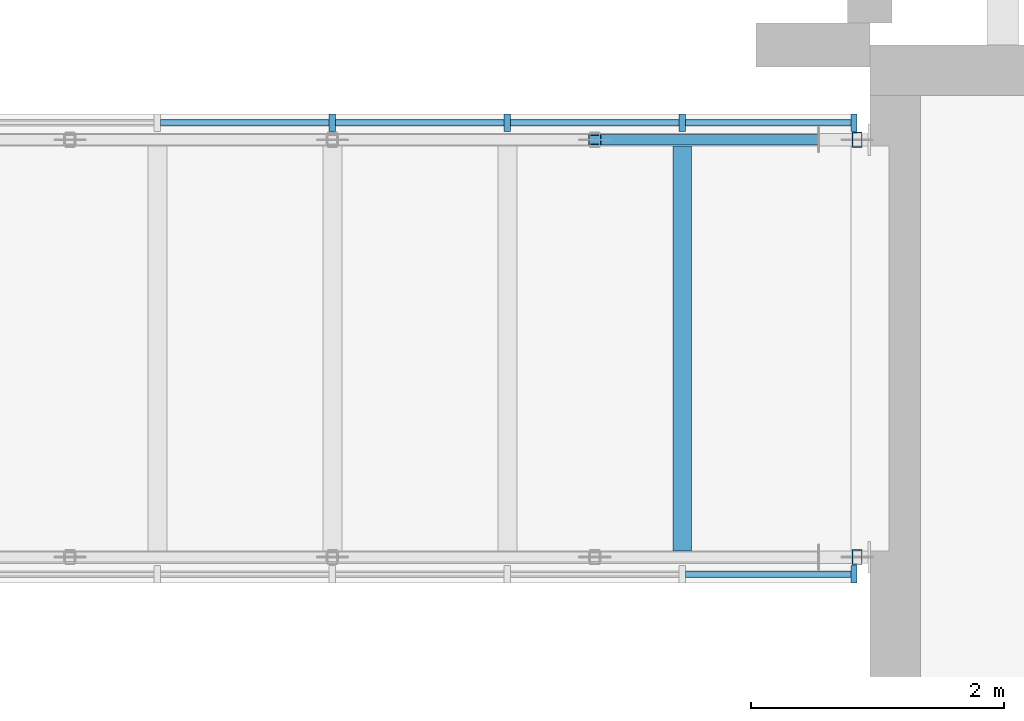
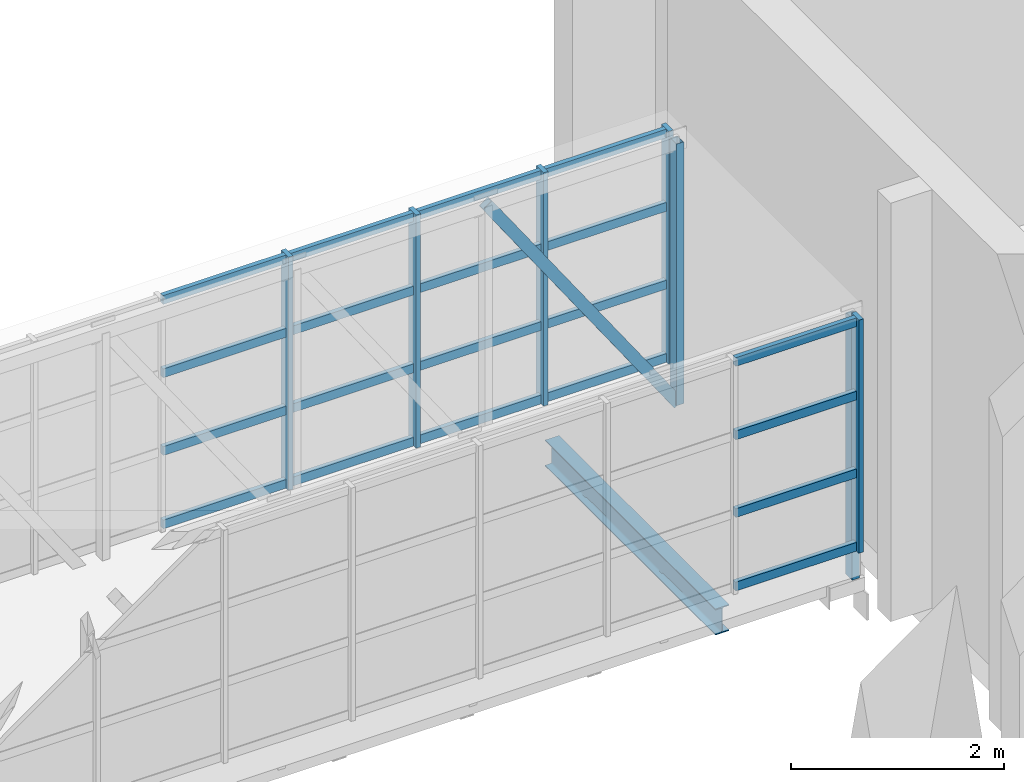
# One storey, part 13 of 91: 28 members, 1 beam, 2 elements without a shape of their own.
"""IFC4 building model written with IfcOpenShell, lengths in metres."""

from ifc_helpers import new_model, si_unit, direction, frame, origin, origin_2d, place, context, subcontext, project, spatial, rectangle, hollow_rectangle, i_section, extrude, material, layer, layer_set, material_profile, profile_set, type_object, element, aggregate, save


model = new_model("IFC4")

# Units and contexts
model_context = context("Model", 3, precision=1e-05, world=origin(), true_north=direction((0.0, 1.0)))
body_context = subcontext(model_context, "Body", "Model", "MODEL_VIEW")
ifc_project = project(units=[si_unit("LENGTHUNIT", "METRE"), si_unit("AREAUNIT", "SQUARE_METRE"), si_unit("VOLUMEUNIT", "CUBIC_METRE"), si_unit("PLANEANGLEUNIT", "RADIAN"), si_unit("MASSUNIT", "GRAM", prefix="KILO")], contexts=[model_context])

# Site, building, storey
site_placement = place(None, origin())
site = spatial("IfcSite", under=ifc_project, at=site_placement, CompositionType="ELEMENT")
building_placement = place(site_placement, origin())
building = spatial("IfcBuilding", under=site, at=building_placement, Name="Kiln Court Media Centre", CompositionType="ELEMENT")
storey_placement = place(building_placement, frame((0.0, 0.0, 5.39990234375)))
storey = spatial("IfcBuildingStorey", under=building, at=storey_placement, Name="L01", CompositionType="ELEMENT", Elevation=5.39990234375)

# Curtain wall, member
ifc_material_1 = material(Name="Aluminium 6063-T6", Category="aluminium")
ifc_layer = layer(ifc_material_1, 0.1201171875)
ifc_layer_set = layer_set([ifc_layer], Name="Aluminium unitised curtain wall, bridge")
curtain_wall_type = type_object("IfcCurtainWallType", Name="Aluminium unitised curtain wall, bridge", PredefinedType="USERDEFINED", material=ifc_layer_set)
curtain_wall_1_placement = place(storey_placement, origin())
curtain_wall_1 = element("IfcCurtainWall", 1, at=curtain_wall_1_placement, inside=storey, type_object=curtain_wall_type, Name="BR-3 side glazing", ObjectType="UNITISED CURTAIN WALL", PredefinedType="USERDEFINED")
ifc_material_2 = material(Name="Aluminium 6063-T6", Category="aluminium")
ifc_material_profile_1 = material_profile(ifc_material_2, rectangle(XDim=0.050048828125, YDim=0.139892578125, at=origin_2d()), Name="Aluminium hall mullion 50x140")
ifc_profile_set_1 = profile_set([ifc_material_profile_1], Name="Aluminium 6063-T6")
member_type_1 = type_object("IfcMemberType", Name="Aluminium hall mullion 50x140", PredefinedType="MULLION", material=ifc_profile_set_1)
member_1_placement = place(storey_placement, frame((117.47509765625, 63.014892578125, 0.0), z_axis=(0.0, 0.0, 1.0), x_axis=(1.0, 0.0, 0.0)))
member_1 = element("IfcMember", 2, at=member_1_placement, type_object=member_type_1, Name="CW1-63 mullion 13", PredefinedType="MULLION", context=body_context, shape_type="SweptSolid", body=[
    extrude(rectangle(XDim=0.050048828125, YDim=0.139892578125, at=origin_2d()), origin(), (0.0, 0.0, 1.0), 2.675048828125),
])

# Curtain wall, members
curtain_wall_2_placement = place(storey_placement, origin())
curtain_wall_2 = element("IfcCurtainWall", 3, at=curtain_wall_2_placement, inside=storey, type_object=curtain_wall_type, Name="BR-3 side glazing", ObjectType="UNITISED CURTAIN WALL", PredefinedType="USERDEFINED")
member_2_placement = place(storey_placement, frame((113.35009765625, 66.5849609375, 0.0), z_axis=(0.0, 0.0, 1.0), x_axis=(1.0, 0.0, 0.0)))
member_2 = element("IfcMember", 4, at=member_2_placement, type_object=member_type_1, Name="CW1-64 mullion 10", PredefinedType="MULLION", context=body_context, shape_type="SweptSolid", body=[
    extrude(rectangle(XDim=0.050048828125, YDim=0.139892578125, at=origin_2d()), origin(), (0.0, 0.0, 1.0), 2.675048828125),
])
member_3_placement = place(storey_placement, frame((114.7333984375, 66.5849609375, 0.0), z_axis=(0.0, 0.0, 1.0), x_axis=(1.0, 0.0, 0.0)))
member_3 = element("IfcMember", 5, at=member_3_placement, type_object=member_type_1, Name="CW1-64 mullion 11", PredefinedType="MULLION", context=body_context, shape_type="SweptSolid", body=[
    extrude(rectangle(XDim=0.050048828125, YDim=0.139892578125, at=origin_2d()), origin(), (0.0, 0.0, 1.0), 2.675048828125),
])
member_4_placement = place(storey_placement, frame((116.11669921875, 66.5849609375, 0.0), z_axis=(0.0, 0.0, 1.0), x_axis=(1.0, 0.0, 0.0)))
member_4 = element("IfcMember", 6, at=member_4_placement, type_object=member_type_1, Name="CW1-64 mullion 12", PredefinedType="MULLION", context=body_context, shape_type="SweptSolid", body=[
    extrude(rectangle(XDim=0.050048828125, YDim=0.139892578125, at=origin_2d()), origin(), (0.0, 0.0, 1.0), 2.675048828125),
])
member_5_placement = place(storey_placement, frame((117.47509765625, 66.5849609375, 0.0), z_axis=(0.0, 0.0, 1.0), x_axis=(1.0, 0.0, 0.0)))
member_5 = element("IfcMember", 7, at=member_5_placement, type_object=member_type_1, Name="CW1-64 mullion 13", PredefinedType="MULLION", context=body_context, shape_type="SweptSolid", body=[
    extrude(rectangle(XDim=0.050048828125, YDim=0.139892578125, at=origin_2d()), origin(), (0.0, 0.0, 1.0), 2.675048828125),
])

# Member
ifc_material_3 = material(Name="Aluminium 6063-T6", Category="aluminium")
ifc_material_profile_2 = material_profile(ifc_material_3, rectangle(XDim=0.050048828125, YDim=0.10009765625, at=origin_2d()), Name="Aluminium hall transom 50x100")
ifc_profile_set_2 = profile_set([ifc_material_profile_2], Name="Aluminium 6063-T6")
member_type_2 = type_object("IfcMemberType", Name="Aluminium hall transom 50x100", PredefinedType="USERDEFINED", material=ifc_profile_set_2)
member_6_placement = place(storey_placement, frame((116.1416015625, 63.014892578125, 0.050048828125), z_axis=(1.0, 0.0, 0.0), x_axis=(0.0, 1.0, 0.0)))
member_6 = element("IfcMember", 8, at=member_6_placement, type_object=member_type_2, Name="CW1-63 transom 12.1", ObjectType="TRANSOM", PredefinedType="USERDEFINED", context=body_context, shape_type="SweptSolid", body=[
    extrude(rectangle(XDim=0.050048828125, YDim=0.10009765625, at=origin_2d()), origin(), (0.0, 0.0, 1.0), 1.308349609375),
])

member_7_placement = place(storey_placement, frame((116.1416015625, 63.014892578125, 0.891845703125), z_axis=(1.0, 0.0, 0.0), x_axis=(0.0, 1.0, 0.0)))
member_7 = element("IfcMember", 9, at=member_7_placement, type_object=member_type_2, Name="CW1-63 transom 12.2", ObjectType="TRANSOM", PredefinedType="USERDEFINED", context=body_context, shape_type="SweptSolid", body=[
    extrude(rectangle(XDim=0.050048828125, YDim=0.10009765625, at=origin_2d()), origin(), (0.0, 0.0, 1.0), 1.308349609375),
])

member_8_placement = place(storey_placement, frame((116.1416015625, 63.014892578125, 1.783447265625), z_axis=(1.0, 0.0, 0.0), x_axis=(0.0, 1.0, 0.0)))
member_8 = element("IfcMember", 10, at=member_8_placement, type_object=member_type_2, Name="CW1-63 transom 12.3", ObjectType="TRANSOM", PredefinedType="USERDEFINED", context=body_context, shape_type="SweptSolid", body=[
    extrude(rectangle(XDim=0.050048828125, YDim=0.10009765625, at=origin_2d()), origin(), (0.0, 0.0, 1.0), 1.308349609375),
])

member_9_placement = place(storey_placement, frame((116.1416015625, 63.014892578125, 2.625), z_axis=(1.0, 0.0, 0.0), x_axis=(0.0, 1.0, 0.0)))
member_9 = element("IfcMember", 11, at=member_9_placement, type_object=member_type_2, Name="CW1-63 transom 12.4", ObjectType="TRANSOM", PredefinedType="USERDEFINED", context=body_context, shape_type="SweptSolid", body=[
    extrude(rectangle(XDim=0.050048828125, YDim=0.10009765625, at=origin_2d()), origin(), (0.0, 0.0, 1.0), 1.308349609375),
])

aggregate(curtain_wall_1, [member_1, member_6, member_7, member_8, member_9])

member_10_placement = place(storey_placement, frame((111.99169921875, 66.5849609375, 0.050048828125), z_axis=(1.0, 0.0, 0.0), x_axis=(0.0, 1.0, 0.0)))
member_10 = element("IfcMember", 12, at=member_10_placement, type_object=member_type_2, Name="CW1-64 transom 9.1", ObjectType="TRANSOM", PredefinedType="USERDEFINED", context=body_context, shape_type="SweptSolid", body=[
    extrude(rectangle(XDim=0.050048828125, YDim=0.10009765625, at=origin_2d()), origin(), (0.0, 0.0, 1.0), 1.333251953125),
])

member_11_placement = place(storey_placement, frame((111.99169921875, 66.5849609375, 0.891845703125), z_axis=(1.0, 0.0, 0.0), x_axis=(0.0, 1.0, 0.0)))
member_11 = element("IfcMember", 13, at=member_11_placement, type_object=member_type_2, Name="CW1-64 transom 9.2", ObjectType="TRANSOM", PredefinedType="USERDEFINED", context=body_context, shape_type="SweptSolid", body=[
    extrude(rectangle(XDim=0.050048828125, YDim=0.10009765625, at=origin_2d()), origin(), (0.0, 0.0, 1.0), 1.333251953125),
])

member_12_placement = place(storey_placement, frame((111.99169921875, 66.5849609375, 1.783447265625), z_axis=(1.0, 0.0, 0.0), x_axis=(0.0, 1.0, 0.0)))
member_12 = element("IfcMember", 14, at=member_12_placement, type_object=member_type_2, Name="CW1-64 transom 9.3", ObjectType="TRANSOM", PredefinedType="USERDEFINED", context=body_context, shape_type="SweptSolid", body=[
    extrude(rectangle(XDim=0.050048828125, YDim=0.10009765625, at=origin_2d()), origin(), (0.0, 0.0, 1.0), 1.333251953125),
])

member_13_placement = place(storey_placement, frame((111.99169921875, 66.5849609375, 2.625), z_axis=(1.0, 0.0, 0.0), x_axis=(0.0, 1.0, 0.0)))
member_13 = element("IfcMember", 15, at=member_13_placement, type_object=member_type_2, Name="CW1-64 transom 9.4", ObjectType="TRANSOM", PredefinedType="USERDEFINED", context=body_context, shape_type="SweptSolid", body=[
    extrude(rectangle(XDim=0.050048828125, YDim=0.10009765625, at=origin_2d()), origin(), (0.0, 0.0, 1.0), 1.333251953125),
])

member_14_placement = place(storey_placement, frame((113.375, 66.5849609375, 0.050048828125), z_axis=(1.0, 0.0, 0.0), x_axis=(0.0, 1.0, 0.0)))
member_14 = element("IfcMember", 16, at=member_14_placement, type_object=member_type_2, Name="CW1-64 transom 10.1", ObjectType="TRANSOM", PredefinedType="USERDEFINED", context=body_context, shape_type="SweptSolid", body=[
    extrude(rectangle(XDim=0.050048828125, YDim=0.10009765625, at=origin_2d()), origin(), (0.0, 0.0, 1.0), 1.333251953125),
])

member_15_placement = place(storey_placement, frame((113.375, 66.5849609375, 0.891845703125), z_axis=(1.0, 0.0, 0.0), x_axis=(0.0, 1.0, 0.0)))
member_15 = element("IfcMember", 17, at=member_15_placement, type_object=member_type_2, Name="CW1-64 transom 10.2", ObjectType="TRANSOM", PredefinedType="USERDEFINED", context=body_context, shape_type="SweptSolid", body=[
    extrude(rectangle(XDim=0.050048828125, YDim=0.10009765625, at=origin_2d()), origin(), (0.0, 0.0, 1.0), 1.333251953125),
])

member_16_placement = place(storey_placement, frame((113.375, 66.5849609375, 1.783447265625), z_axis=(1.0, 0.0, 0.0), x_axis=(0.0, 1.0, 0.0)))
member_16 = element("IfcMember", 18, at=member_16_placement, type_object=member_type_2, Name="CW1-64 transom 10.3", ObjectType="TRANSOM", PredefinedType="USERDEFINED", context=body_context, shape_type="SweptSolid", body=[
    extrude(rectangle(XDim=0.050048828125, YDim=0.10009765625, at=origin_2d()), origin(), (0.0, 0.0, 1.0), 1.333251953125),
])

member_17_placement = place(storey_placement, frame((113.375, 66.5849609375, 2.625), z_axis=(1.0, 0.0, 0.0), x_axis=(0.0, 1.0, 0.0)))
member_17 = element("IfcMember", 19, at=member_17_placement, type_object=member_type_2, Name="CW1-64 transom 10.4", ObjectType="TRANSOM", PredefinedType="USERDEFINED", context=body_context, shape_type="SweptSolid", body=[
    extrude(rectangle(XDim=0.050048828125, YDim=0.10009765625, at=origin_2d()), origin(), (0.0, 0.0, 1.0), 1.333251953125),
])

member_18_placement = place(storey_placement, frame((114.75830078125, 66.5849609375, 0.050048828125), z_axis=(1.0, 0.0, 0.0), x_axis=(0.0, 1.0, 0.0)))
member_18 = element("IfcMember", 20, at=member_18_placement, type_object=member_type_2, Name="CW1-64 transom 11.1", ObjectType="TRANSOM", PredefinedType="USERDEFINED", context=body_context, shape_type="SweptSolid", body=[
    extrude(rectangle(XDim=0.050048828125, YDim=0.10009765625, at=origin_2d()), origin(), (0.0, 0.0, 1.0), 1.333251953125),
])

member_19_placement = place(storey_placement, frame((114.75830078125, 66.5849609375, 0.891845703125), z_axis=(1.0, 0.0, 0.0), x_axis=(0.0, 1.0, 0.0)))
member_19 = element("IfcMember", 21, at=member_19_placement, type_object=member_type_2, Name="CW1-64 transom 11.2", ObjectType="TRANSOM", PredefinedType="USERDEFINED", context=body_context, shape_type="SweptSolid", body=[
    extrude(rectangle(XDim=0.050048828125, YDim=0.10009765625, at=origin_2d()), origin(), (0.0, 0.0, 1.0), 1.333251953125),
])

member_20_placement = place(storey_placement, frame((114.75830078125, 66.5849609375, 1.783447265625), z_axis=(1.0, 0.0, 0.0), x_axis=(0.0, 1.0, 0.0)))
member_20 = element("IfcMember", 22, at=member_20_placement, type_object=member_type_2, Name="CW1-64 transom 11.3", ObjectType="TRANSOM", PredefinedType="USERDEFINED", context=body_context, shape_type="SweptSolid", body=[
    extrude(rectangle(XDim=0.050048828125, YDim=0.10009765625, at=origin_2d()), origin(), (0.0, 0.0, 1.0), 1.333251953125),
])

member_21_placement = place(storey_placement, frame((114.75830078125, 66.5849609375, 2.625), z_axis=(1.0, 0.0, 0.0), x_axis=(0.0, 1.0, 0.0)))
member_21 = element("IfcMember", 23, at=member_21_placement, type_object=member_type_2, Name="CW1-64 transom 11.4", ObjectType="TRANSOM", PredefinedType="USERDEFINED", context=body_context, shape_type="SweptSolid", body=[
    extrude(rectangle(XDim=0.050048828125, YDim=0.10009765625, at=origin_2d()), origin(), (0.0, 0.0, 1.0), 1.333251953125),
])

member_22_placement = place(storey_placement, frame((116.1416015625, 66.5849609375, 0.050048828125), z_axis=(1.0, 0.0, 0.0), x_axis=(0.0, 1.0, 0.0)))
member_22 = element("IfcMember", 24, at=member_22_placement, type_object=member_type_2, Name="CW1-64 transom 12.1", ObjectType="TRANSOM", PredefinedType="USERDEFINED", context=body_context, shape_type="SweptSolid", body=[
    extrude(rectangle(XDim=0.050048828125, YDim=0.10009765625, at=origin_2d()), origin(), (0.0, 0.0, 1.0), 1.308349609375),
])

member_23_placement = place(storey_placement, frame((116.1416015625, 66.5849609375, 0.891845703125), z_axis=(1.0, 0.0, 0.0), x_axis=(0.0, 1.0, 0.0)))
member_23 = element("IfcMember", 25, at=member_23_placement, type_object=member_type_2, Name="CW1-64 transom 12.2", ObjectType="TRANSOM", PredefinedType="USERDEFINED", context=body_context, shape_type="SweptSolid", body=[
    extrude(rectangle(XDim=0.050048828125, YDim=0.10009765625, at=origin_2d()), origin(), (0.0, 0.0, 1.0), 1.308349609375),
])

member_24_placement = place(storey_placement, frame((116.1416015625, 66.5849609375, 1.783447265625), z_axis=(1.0, 0.0, 0.0), x_axis=(0.0, 1.0, 0.0)))
member_24 = element("IfcMember", 26, at=member_24_placement, type_object=member_type_2, Name="CW1-64 transom 12.3", ObjectType="TRANSOM", PredefinedType="USERDEFINED", context=body_context, shape_type="SweptSolid", body=[
    extrude(rectangle(XDim=0.050048828125, YDim=0.10009765625, at=origin_2d()), origin(), (0.0, 0.0, 1.0), 1.308349609375),
])

member_25_placement = place(storey_placement, frame((116.1416015625, 66.5849609375, 2.625), z_axis=(1.0, 0.0, 0.0), x_axis=(0.0, 1.0, 0.0)))
member_25 = element("IfcMember", 27, at=member_25_placement, type_object=member_type_2, Name="CW1-64 transom 12.4", ObjectType="TRANSOM", PredefinedType="USERDEFINED", context=body_context, shape_type="SweptSolid", body=[
    extrude(rectangle(XDim=0.050048828125, YDim=0.10009765625, at=origin_2d()), origin(), (0.0, 0.0, 1.0), 1.308349609375),
])

aggregate(curtain_wall_2, [member_2, member_3, member_4, member_5, member_10, member_11, member_12, member_13, member_14, member_15, member_16, member_17, member_18, member_19, member_20, member_21, member_22, member_23, member_24, member_25])

# Members
ifc_material_4 = material(Name="Steel ASTM A500 Gr C", Category="steel")
ifc_material_profile_3 = material_profile(ifc_material_4, hollow_rectangle(XDim=0.080078125, YDim=0.1201171875, WallThickness=0.00634765625, at=origin_2d()), Name="RHS 120x80x6.3")
ifc_profile_set_3 = profile_set([ifc_material_profile_3], Name="Steel ASTM A500 Gr C")
member_type_3 = type_object("IfcMemberType", Name="Steel ASTM A500 Gr C RHS 120x80x6.3 bridge truss web", PredefinedType="BRACE", material=ifc_profile_set_3)
for number, where, z_axis, x_axis, name in (
    (28, (117.5, 63.14990234375, -0.39990234375), (0.0, 0.0, 1.0), (1.0, 0.0, 0.0), "bridge BR-3 side truss 1 post 9 bridge truss web"),
    (29, (117.5, 66.449951171875, -0.39990234375), (0.0, 0.0, 1.0), (1.0, 0.0, 0.0), "bridge BR-3 side truss 2 post 9 bridge truss web"),
):
    element("IfcMember", number, at=place(storey_placement, frame(where, z_axis=z_axis, x_axis=x_axis)), inside=storey, type_object=member_type_3, Name=name, PredefinedType="BRACE", context=body_context, shape_type="SweptSolid", body=[
        extrude(hollow_rectangle(XDim=0.080078125, YDim=0.1201171875, WallThickness=0.00634765625, at=origin_2d()), origin(), (0.0, 0.0, 1.0), 3.0),
    ])
member_26_placement = place(storey_placement, frame((115.425048828125, 66.449951171875, 2.60009765625), z_axis=(0.568844480686, 0.0, -0.822445108681), x_axis=(0.0, 1.0, 0.0)))
element("IfcMember", 30, at=member_26_placement, inside=storey, type_object=member_type_3, Name="bridge BR-3 side truss 2 diagonal 8 bridge truss web", PredefinedType="BRACE", context=body_context, shape_type="SweptSolid", body=[
    extrude(hollow_rectangle(XDim=0.080078125, YDim=0.1201171875, WallThickness=0.00634765625, at=origin_2d()), origin(), (0.0, 0.0, 1.0), 3.647705078125),
])

# Beam
ifc_material_5 = material(Name="Steel ASTM A572 Gr 50", Category="steel")
ifc_material_profile_4 = material_profile(ifc_material_5, i_section(OverallWidth=0.14990234375, OverallDepth=0.300048828125, WebThickness=0.007080078125, FlangeThickness=0.0107421875, FilletRadius=0.014892578125, at=origin_2d()), Name="IPE 300")
ifc_profile_set_4 = profile_set([ifc_material_profile_4], Name="Steel ASTM A572 Gr 50")
beam_type = type_object("IfcBeamType", Name="Steel ASTM A572 Gr 50 IPE 300 bridge floor beam", PredefinedType="BEAM", material=ifc_profile_set_4)
beam_placement = place(storey_placement, frame((116.11669921875, 63.199951171875, -0.449951171875), z_axis=(0.0, 1.0, 0.0), x_axis=(-1.0, 0.0, 0.0)))
element("IfcBeam", 31, at=beam_placement, inside=storey, type_object=beam_type, Name="bridge BR-3 floor beam 11 bridge floor beam", PredefinedType="BEAM", context=body_context, shape_type="SweptSolid", body=[
    extrude(i_section(OverallWidth=0.14990234375, OverallDepth=0.300048828125, WebThickness=0.007080078125, FlangeThickness=0.0107421875, FilletRadius=0.014892578125, at=origin_2d()), origin(), (0.0, 0.0, 1.0), 3.199951171875),
])

save(model, "model.ifc")
